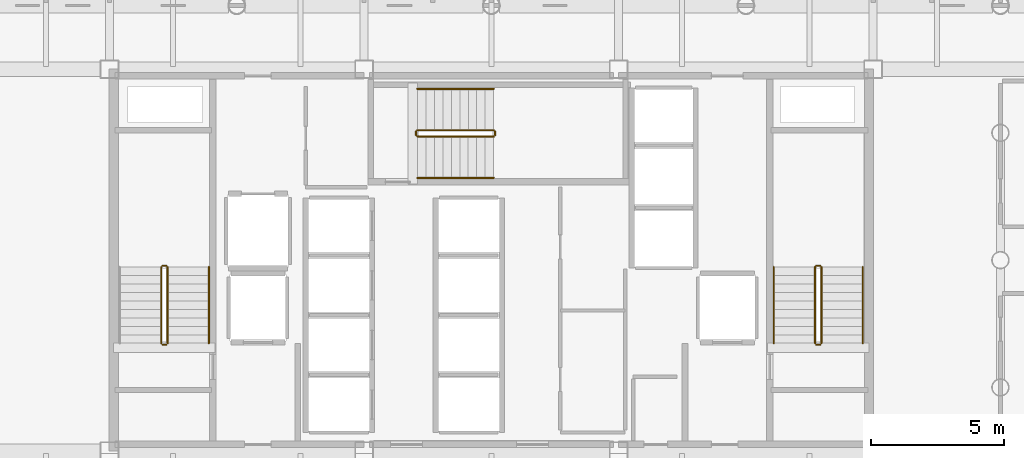
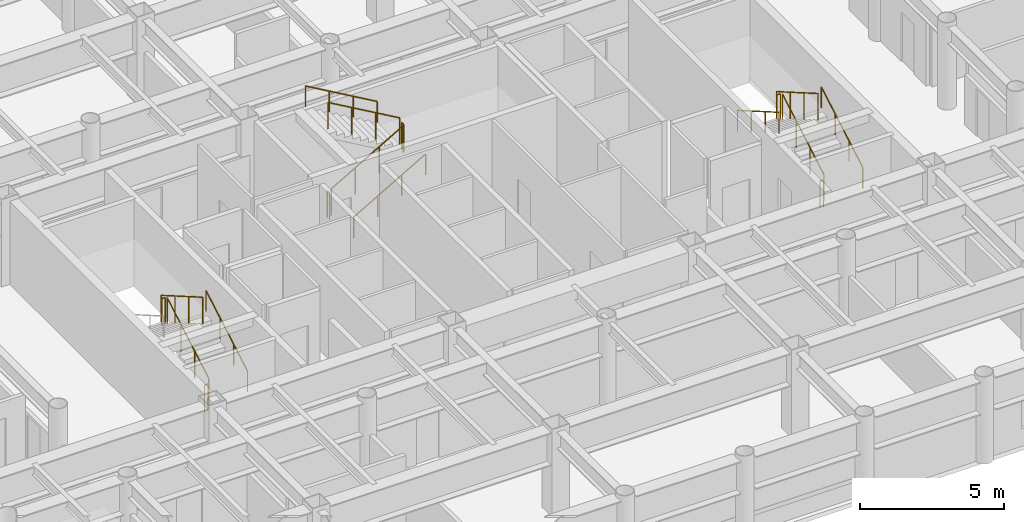
# One storey, part 22 of 22: 17 railings.
"""IFC4 building model written with IfcOpenShell, lengths in metres."""

from ifc_helpers import new_model, si_unit, direction, frame, origin, origin_2d, place, context, subcontext, project, spatial, circle, extrude, material, layer, layer_set, type_object, element, save


model = new_model("IFC4")

# Units and contexts
model_context = context("Model", 3, precision=1e-05, world=origin(), true_north=direction((0.0, 1.0)))
body_context = subcontext(model_context, "Body", "Model", "MODEL_VIEW")
ifc_project = project(units=[si_unit("LENGTHUNIT", "METRE"), si_unit("AREAUNIT", "SQUARE_METRE"), si_unit("VOLUMEUNIT", "CUBIC_METRE"), si_unit("PLANEANGLEUNIT", "RADIAN"), si_unit("MASSUNIT", "GRAM", prefix="KILO")], contexts=[model_context])

# Site, building, storey
site_placement = place(None, origin())
site = spatial("IfcSite", under=ifc_project, at=site_placement, CompositionType="ELEMENT")
building_placement = place(site_placement, origin())
building = spatial("IfcBuilding", under=site, at=building_placement, Name="Kallvorn Hotel Tower", CompositionType="ELEMENT")
storey_placement = place(building_placement, frame((0.0, 0.0, 95.199951171875)))
storey = spatial("IfcBuildingStorey", under=building, at=storey_placement, Name="L22", CompositionType="ELEMENT", Elevation=95.199951171875)

# Railings
ifc_material_1 = material(Name="Brushed stainless-steel tubular railing", Category="steel")
ifc_layer_1 = layer(ifc_material_1, 0.050048828125)
ifc_layer_set_1 = layer_set([ifc_layer_1], Name="RL_STAIR_GUARD")
railing_type_1 = type_object("IfcRailingType", Name="RL_STAIR_GUARD", PredefinedType="GUARDRAIL", material=ifc_layer_set_1)
railing_1_placement = place(storey_placement, frame((-12.2099609375, -3.139892578125, 0.18505859375)))
element("IfcRailing", 1, at=railing_1_placement, inside=storey, type_object=railing_type_1, Name="L22 ST1 stair guard 1", PredefinedType="GUARDRAIL", context=body_context, shape_type="SweptSolid", body=[
    extrude(circle(Radius=0.02392578125, at=origin_2d()), frame((0.0, 0.0, 1.1259765625), z_axis=(0.0, 0.865720918037, 0.500527014328), x_axis=(-1.0, 0.0, 0.0)), (0.0, 0.0, 1.0), 3.32666015625),
    extrude(circle(Radius=0.02099609375, at=origin_2d()), origin(), (0.0, 0.0, 1.0), 1.101806640625),
    extrude(circle(Radius=0.02099609375, at=origin_2d()), frame((0.0, 0.9599609375, 0.554931640625)), (0.0, 0.0, 1.0), 1.101806640625),
    extrude(circle(Radius=0.02099609375, at=origin_2d()), frame((0.0, 1.919921875, 1.110107421875)), (0.0, 0.0, 1.0), 1.101806640625),
    extrude(circle(Radius=0.02099609375, at=origin_2d()), frame((0.0, 2.8798828125, 1.6650390625)), (0.0, 0.0, 1.0), 1.101806640625),
])
railing_2_placement = place(storey_placement, frame((-12.260009765625, -0.2099609375, 1.85009765625)))
element("IfcRailing", 2, at=railing_2_placement, inside=storey, type_object=railing_type_1, Name="L22 ST1 stair guard 2", PredefinedType="GUARDRAIL", context=body_context, shape_type="SweptSolid", body=[
    extrude(circle(Radius=0.02392578125, at=origin_2d()), frame((0.0, 0.0, 1.1259765625), z_axis=(-1.0, 0.0, 0.0), x_axis=(0.0, -1.0, 0.0)), (0.0, 0.0, 1.0), 0.139892578125),
    extrude(circle(Radius=0.02099609375, at=origin_2d()), origin(), (0.0, 0.0, 1.0), 1.101806640625),
    extrude(circle(Radius=0.02099609375, at=origin_2d()), frame((-0.139892578125, 0.0, 0.0)), (0.0, 0.0, 1.0), 1.101806640625),
])
railing_3_placement = place(storey_placement, frame((-12.449951171875, -0.260009765625, 2.03515625)))
element("IfcRailing", 3, at=railing_3_placement, inside=storey, type_object=railing_type_1, Name="L22 ST1 stair guard 3", PredefinedType="GUARDRAIL", context=body_context, shape_type="SweptSolid", body=[
    extrude(circle(Radius=0.02392578125, at=origin_2d()), frame((0.0, 0.0, 1.1259765625), z_axis=(0.0, -0.86575271903, 0.500472006703), x_axis=(1.0, 0.0, 0.0)), (0.0, 0.0, 1.0), 3.326416015625),
    extrude(circle(Radius=0.02099609375, at=origin_2d()), origin(), (0.0, 0.0, 1.0), 1.101806640625),
    extrude(circle(Radius=0.02099609375, at=origin_2d()), frame((0.0, -0.9599609375, 0.554931640625)), (0.0, 0.0, 1.0), 1.101806640625),
    extrude(circle(Radius=0.02099609375, at=origin_2d()), frame((0.0, -1.919921875, 1.10986328125)), (0.0, 0.0, 1.0), 1.101806640625),
    extrude(circle(Radius=0.02099609375, at=origin_2d()), frame((0.0, -2.8798828125, 1.664794921875)), (0.0, 0.0, 1.0), 1.101806640625),
])
railing_4_placement = place(storey_placement, frame((-12.260009765625, -3.18994140625, 0.0)))
element("IfcRailing", 4, at=railing_4_placement, inside=storey, type_object=railing_type_1, Name="L22 ST1 stair guard 4", PredefinedType="GUARDRAIL", context=body_context, shape_type="SweptSolid", body=[
    extrude(circle(Radius=0.02392578125, at=origin_2d()), frame((0.0, 0.0, 1.1259765625), z_axis=(-1.0, 0.0, 0.0), x_axis=(0.0, -1.0, 0.0)), (0.0, 0.0, 1.0), 0.139892578125),
    extrude(circle(Radius=0.02099609375, at=origin_2d()), origin(), (0.0, 0.0, 1.0), 1.101806640625),
    extrude(circle(Radius=0.02099609375, at=origin_2d()), frame((-0.139892578125, 0.0, 0.0)), (0.0, 0.0, 1.0), 1.101806640625),
])
railing_5_placement = place(storey_placement, frame((12.449951171875, -3.139892578125, 0.18505859375)))
element("IfcRailing", 5, at=railing_5_placement, inside=storey, type_object=railing_type_1, Name="L22 ST2 stair guard 1", PredefinedType="GUARDRAIL", context=body_context, shape_type="SweptSolid", body=[
    extrude(circle(Radius=0.02392578125, at=origin_2d()), frame((0.0, 0.0, 1.1259765625), z_axis=(0.0, 0.865720918037, 0.500527014328), x_axis=(-1.0, 0.0, 0.0)), (0.0, 0.0, 1.0), 3.32666015625),
    extrude(circle(Radius=0.02099609375, at=origin_2d()), origin(), (0.0, 0.0, 1.0), 1.101806640625),
    extrude(circle(Radius=0.02099609375, at=origin_2d()), frame((0.0, 0.9599609375, 0.554931640625)), (0.0, 0.0, 1.0), 1.101806640625),
    extrude(circle(Radius=0.02099609375, at=origin_2d()), frame((0.0, 1.919921875, 1.110107421875)), (0.0, 0.0, 1.0), 1.101806640625),
    extrude(circle(Radius=0.02099609375, at=origin_2d()), frame((0.0, 2.8798828125, 1.6650390625)), (0.0, 0.0, 1.0), 1.101806640625),
])
railing_6_placement = place(storey_placement, frame((12.39990234375, -0.2099609375, 1.85009765625)))
element("IfcRailing", 6, at=railing_6_placement, inside=storey, type_object=railing_type_1, Name="L22 ST2 stair guard 2", PredefinedType="GUARDRAIL", context=body_context, shape_type="SweptSolid", body=[
    extrude(circle(Radius=0.02392578125, at=origin_2d()), frame((0.0, 0.0, 1.1259765625), z_axis=(-1.0, 0.0, 0.0), x_axis=(0.0, -1.0, 0.0)), (0.0, 0.0, 1.0), 0.139892578125),
    extrude(circle(Radius=0.02099609375, at=origin_2d()), origin(), (0.0, 0.0, 1.0), 1.101806640625),
    extrude(circle(Radius=0.02099609375, at=origin_2d()), frame((-0.139892578125, 0.0, 0.0)), (0.0, 0.0, 1.0), 1.101806640625),
])
railing_7_placement = place(storey_placement, frame((12.2099609375, -0.260009765625, 2.03515625)))
element("IfcRailing", 7, at=railing_7_placement, inside=storey, type_object=railing_type_1, Name="L22 ST2 stair guard 3", PredefinedType="GUARDRAIL", context=body_context, shape_type="SweptSolid", body=[
    extrude(circle(Radius=0.02392578125, at=origin_2d()), frame((0.0, 0.0, 1.1259765625), z_axis=(0.0, -0.86575271903, 0.500472006703), x_axis=(1.0, 0.0, 0.0)), (0.0, 0.0, 1.0), 3.326416015625),
    extrude(circle(Radius=0.02099609375, at=origin_2d()), origin(), (0.0, 0.0, 1.0), 1.101806640625),
    extrude(circle(Radius=0.02099609375, at=origin_2d()), frame((0.0, -0.9599609375, 0.554931640625)), (0.0, 0.0, 1.0), 1.101806640625),
    extrude(circle(Radius=0.02099609375, at=origin_2d()), frame((0.0, -1.919921875, 1.10986328125)), (0.0, 0.0, 1.0), 1.101806640625),
    extrude(circle(Radius=0.02099609375, at=origin_2d()), frame((0.0, -2.8798828125, 1.664794921875)), (0.0, 0.0, 1.0), 1.101806640625),
])
railing_8_placement = place(storey_placement, frame((12.39990234375, -3.18994140625, 0.0)))
element("IfcRailing", 8, at=railing_8_placement, inside=storey, type_object=railing_type_1, Name="L22 ST2 stair guard 4", PredefinedType="GUARDRAIL", context=body_context, shape_type="SweptSolid", body=[
    extrude(circle(Radius=0.02392578125, at=origin_2d()), frame((0.0, 0.0, 1.1259765625), z_axis=(-1.0, 0.0, 0.0), x_axis=(0.0, -1.0, 0.0)), (0.0, 0.0, 1.0), 0.139892578125),
    extrude(circle(Radius=0.02099609375, at=origin_2d()), origin(), (0.0, 0.0, 1.0), 1.101806640625),
    extrude(circle(Radius=0.02099609375, at=origin_2d()), frame((-0.139892578125, 0.0, 0.0)), (0.0, 0.0, 1.0), 1.101806640625),
])
railing_9_placement = place(storey_placement, frame((-2.7900390625, 4.659912109375, 0.18505859375)))
element("IfcRailing", 9, at=railing_9_placement, inside=storey, type_object=railing_type_1, Name="L22 ST3 stair guard 1", PredefinedType="GUARDRAIL", context=body_context, shape_type="SweptSolid", body=[
    extrude(circle(Radius=0.02392578125, at=origin_2d()), frame((0.0, 0.0, 1.1259765625), z_axis=(0.865739302748, 0.0, 0.50049521444), x_axis=(0.0, 1.0, 0.0)), (0.0, 0.0, 1.0), 3.326904296875),
    extrude(circle(Radius=0.02099609375, at=origin_2d()), origin(), (0.0, 0.0, 1.0), 1.101806640625),
    extrude(circle(Radius=0.02099609375, at=origin_2d()), frame((0.9599609375, 0.0, 0.554931640625)), (0.0, 0.0, 1.0), 1.101806640625),
    extrude(circle(Radius=0.02099609375, at=origin_2d()), frame((1.920166015625, 0.0, 1.110107421875)), (0.0, 0.0, 1.0), 1.101806640625),
    extrude(circle(Radius=0.02099609375, at=origin_2d()), frame((2.880126953125, 0.0, 1.6650390625)), (0.0, 0.0, 1.0), 1.101806640625),
])
railing_10_placement = place(storey_placement, frame((0.139892578125, 4.7099609375, 1.85009765625)))
element("IfcRailing", 10, at=railing_10_placement, inside=storey, type_object=railing_type_1, Name="L22 ST3 stair guard 2", PredefinedType="GUARDRAIL", context=body_context, shape_type="SweptSolid", body=[
    extrude(circle(Radius=0.02392578125, at=origin_2d()), frame((0.0, 0.0, 1.1259765625), z_axis=(0.0, 1.0, 0.0), x_axis=(-1.0, 0.0, 0.0)), (0.0, 0.0, 1.0), 0.14013671875),
    extrude(circle(Radius=0.02099609375, at=origin_2d()), origin(), (0.0, 0.0, 1.0), 1.101806640625),
    extrude(circle(Radius=0.02099609375, at=origin_2d()), frame((0.0, 0.14013671875, 0.0)), (0.0, 0.0, 1.0), 1.101806640625),
])
railing_11_placement = place(storey_placement, frame((0.090087890625, 4.89990234375, 2.03515625)))
element("IfcRailing", 11, at=railing_11_placement, inside=storey, type_object=railing_type_1, Name="L22 ST3 stair guard 3", PredefinedType="GUARDRAIL", context=body_context, shape_type="SweptSolid", body=[
    extrude(circle(Radius=0.02392578125, at=origin_2d()), frame((0.0, 0.0, 1.1259765625), z_axis=(-0.865771100375, 0.0, 0.500440207973), x_axis=(0.0, -1.0, 0.0)), (0.0, 0.0, 1.0), 3.32666015625),
    extrude(circle(Radius=0.02099609375, at=origin_2d()), origin(), (0.0, 0.0, 1.0), 1.101806640625),
    extrude(circle(Radius=0.02099609375, at=origin_2d()), frame((-0.9599609375, 0.0, 0.554931640625)), (0.0, 0.0, 1.0), 1.101806640625),
    extrude(circle(Radius=0.02099609375, at=origin_2d()), frame((-1.920166015625, 0.0, 1.10986328125)), (0.0, 0.0, 1.0), 1.101806640625),
    extrude(circle(Radius=0.02099609375, at=origin_2d()), frame((-2.880126953125, 0.0, 1.664794921875)), (0.0, 0.0, 1.0), 1.101806640625),
])
railing_12_placement = place(storey_placement, frame((-2.840087890625, 4.7099609375, 0.0)))
element("IfcRailing", 12, at=railing_12_placement, inside=storey, type_object=railing_type_1, Name="L22 ST3 stair guard 4", PredefinedType="GUARDRAIL", context=body_context, shape_type="SweptSolid", body=[
    extrude(circle(Radius=0.02392578125, at=origin_2d()), frame((0.0, 0.0, 1.1259765625), z_axis=(0.0, 1.0, 0.0), x_axis=(-1.0, 0.0, 0.0)), (0.0, 0.0, 1.0), 0.14013671875),
    extrude(circle(Radius=0.02099609375, at=origin_2d()), origin(), (0.0, 0.0, 1.0), 1.101806640625),
    extrude(circle(Radius=0.02099609375, at=origin_2d()), frame((0.0, 0.14013671875, 0.0)), (0.0, 0.0, 1.0), 1.101806640625),
])
ifc_material_2 = material(Name="Brushed stainless-steel tubular railing", Category="steel")
ifc_layer_2 = layer(ifc_material_2, 0.050048828125)
ifc_layer_set_2 = layer_set([ifc_layer_2], Name="RL_STAIR_HAND")
railing_type_2 = type_object("IfcRailingType", Name="RL_STAIR_HAND", PredefinedType="HANDRAIL", material=ifc_layer_set_2)
for number, where, name in (
    (13, (-10.64990234375, -3.139892578125, 0.18505859375), "L22 ST1 stair handrail 1"),
    (14, (14.010009765625, -3.139892578125, 0.18505859375), "L22 ST2 stair handrail 1"),
):
    element("IfcRailing", number, at=place(storey_placement, frame(where)), inside=storey, type_object=railing_type_2, Name=name, PredefinedType="HANDRAIL", context=body_context, shape_type="SweptSolid", body=[
        extrude(circle(Radius=0.02392578125, at=origin_2d()), frame((0.0, 0.0, 0.8759765625), z_axis=(0.0, 0.865720918037, 0.500527014328), x_axis=(-1.0, 0.0, 0.0)), (0.0, 0.0, 1.0), 3.32666015625),
        extrude(circle(Radius=0.02099609375, at=origin_2d()), origin(), (0.0, 0.0, 1.0), 0.851806640625),
        extrude(circle(Radius=0.02099609375, at=origin_2d()), frame((0.0, 0.9599609375, 0.554931640625)), (0.0, 0.0, 1.0), 0.851806640625),
        extrude(circle(Radius=0.02099609375, at=origin_2d()), frame((0.0, 1.919921875, 1.110107421875)), (0.0, 0.0, 1.0), 0.851806640625),
        extrude(circle(Radius=0.02099609375, at=origin_2d()), frame((0.0, 2.8798828125, 1.6650390625)), (0.0, 0.0, 1.0), 0.851806640625),
    ])
railing_13_placement = place(storey_placement, frame((10.64990234375, -0.260009765625, 2.03515625)))
element("IfcRailing", 15, at=railing_13_placement, inside=storey, type_object=railing_type_2, Name="L22 ST2 stair handrail 2", PredefinedType="HANDRAIL", context=body_context, shape_type="SweptSolid", body=[
    extrude(circle(Radius=0.02392578125, at=origin_2d()), frame((0.0, 0.0, 0.8759765625), z_axis=(0.0, -0.86575271903, 0.500472006703), x_axis=(1.0, 0.0, 0.0)), (0.0, 0.0, 1.0), 3.326416015625),
    extrude(circle(Radius=0.02099609375, at=origin_2d()), origin(), (0.0, 0.0, 1.0), 0.851806640625),
    extrude(circle(Radius=0.02099609375, at=origin_2d()), frame((0.0, -0.9599609375, 0.554931640625)), (0.0, 0.0, 1.0), 0.851806640625),
    extrude(circle(Radius=0.02099609375, at=origin_2d()), frame((0.0, -1.919921875, 1.10986328125)), (0.0, 0.0, 1.0), 0.851806640625),
    extrude(circle(Radius=0.02099609375, at=origin_2d()), frame((0.0, -2.8798828125, 1.664794921875)), (0.0, 0.0, 1.0), 0.851806640625),
])
railing_14_placement = place(storey_placement, frame((-2.7900390625, 3.10009765625, 0.18505859375)))
element("IfcRailing", 16, at=railing_14_placement, inside=storey, type_object=railing_type_2, Name="L22 ST3 stair handrail 1", PredefinedType="HANDRAIL", context=body_context, shape_type="SweptSolid", body=[
    extrude(circle(Radius=0.02392578125, at=origin_2d()), frame((0.0, 0.0, 0.8759765625), z_axis=(0.865739302748, 0.0, 0.50049521444), x_axis=(0.0, 1.0, 0.0)), (0.0, 0.0, 1.0), 3.326904296875),
    extrude(circle(Radius=0.02099609375, at=origin_2d()), origin(), (0.0, 0.0, 1.0), 0.851806640625),
    extrude(circle(Radius=0.02099609375, at=origin_2d()), frame((0.9599609375, 0.0, 0.554931640625)), (0.0, 0.0, 1.0), 0.851806640625),
    extrude(circle(Radius=0.02099609375, at=origin_2d()), frame((1.920166015625, 0.0, 1.110107421875)), (0.0, 0.0, 1.0), 0.851806640625),
    extrude(circle(Radius=0.02099609375, at=origin_2d()), frame((2.880126953125, 0.0, 1.6650390625)), (0.0, 0.0, 1.0), 0.851806640625),
])
railing_15_placement = place(storey_placement, frame((0.090087890625, 6.4599609375, 2.03515625)))
element("IfcRailing", 17, at=railing_15_placement, inside=storey, type_object=railing_type_2, Name="L22 ST3 stair handrail 2", PredefinedType="HANDRAIL", context=body_context, shape_type="SweptSolid", body=[
    extrude(circle(Radius=0.02392578125, at=origin_2d()), frame((0.0, 0.0, 0.8759765625), z_axis=(-0.865771100375, 0.0, 0.500440207973), x_axis=(0.0, -1.0, 0.0)), (0.0, 0.0, 1.0), 3.32666015625),
    extrude(circle(Radius=0.02099609375, at=origin_2d()), origin(), (0.0, 0.0, 1.0), 0.851806640625),
    extrude(circle(Radius=0.02099609375, at=origin_2d()), frame((-0.9599609375, 0.0, 0.554931640625)), (0.0, 0.0, 1.0), 0.851806640625),
    extrude(circle(Radius=0.02099609375, at=origin_2d()), frame((-1.920166015625, 0.0, 1.10986328125)), (0.0, 0.0, 1.0), 0.851806640625),
    extrude(circle(Radius=0.02099609375, at=origin_2d()), frame((-2.880126953125, 0.0, 1.664794921875)), (0.0, 0.0, 1.0), 0.851806640625),
])

save(model, "model.ifc")
